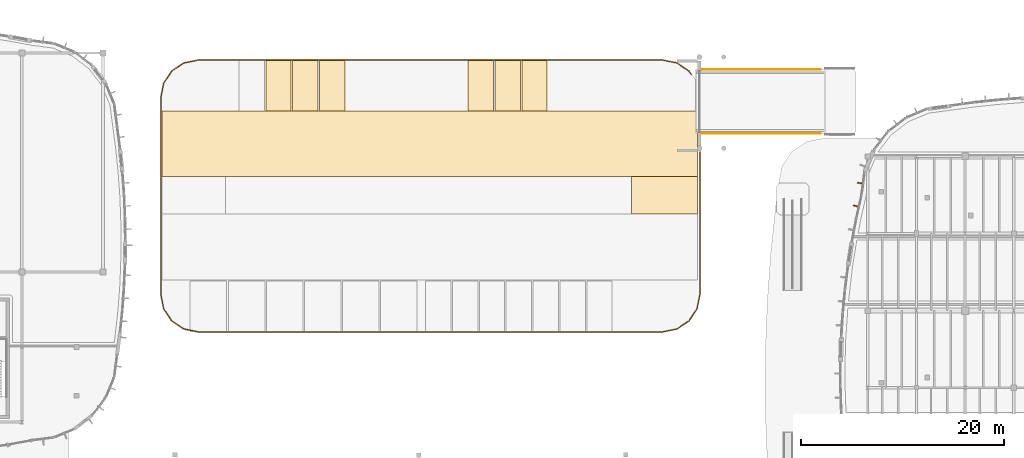
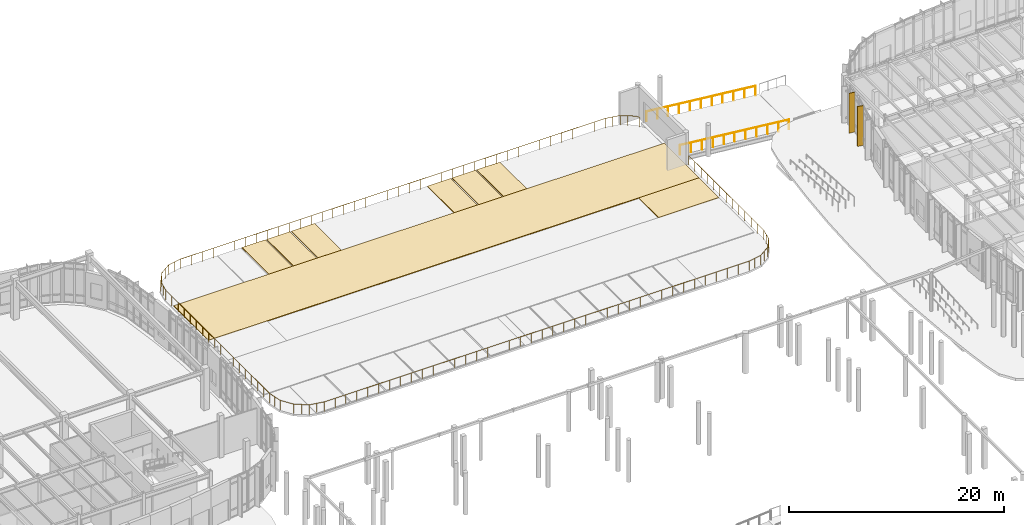
# One storey, part 113 of 120: 10 coverings, 3 railings.
"""IFC4 building model written with IfcOpenShell, lengths in metres."""

import ifcopenshell
import ifcopenshell.guid

model = None  # the IFC model being written
_history = None  # IfcOwnerHistory: only IFC2X3 demands one
_inside = {}  # id of a spatial element -> (the spatial element, [elements in it])
_under = {}  # id of a project, library or spatial element -> (it, [spatial elements below it])
_declared = {}  # id of a project -> (the project, [libraries it declares])
_typed = {}  # id of a type object -> (the type object, [elements of that type])
_made_of = {}  # id of a material, layer set ... -> (it, [elements and type objects made of it])


def new_model(schema):
    """Start an empty IFC model of exactly this schema.

    Asked for "IFC4X3", IfcOpenShell would pick the latest addendum, in which some entities
    have other attributes; the version numbers below select the first issue.
    IFC2X3 requires an IfcOwnerHistory on every rooted entity: one is made here for all.
    """
    global model, _history
    if schema == "IFC4X3":
        model = ifcopenshell.file(schema_version=(4, 3, 0, 0))
    else:
        model = ifcopenshell.file(schema=schema)
    _inside.clear()
    _under.clear()
    _declared.clear()
    _typed.clear()
    _made_of.clear()
    _history = None
    if model.schema == "IFC2X3":
        org = make("IfcOrganization", Name="unknown")
        user = make(
            "IfcPersonAndOrganization",
            ThePerson=make("IfcPerson", FamilyName="unknown"),
            TheOrganization=org,
        )
        app = make(
            "IfcApplication",
            ApplicationDeveloper=org,
            Version="unknown",
            ApplicationFullName="unknown",
            ApplicationIdentifier="unknown",
        )
        _history = make(
            "IfcOwnerHistory",
            OwningUser=user,
            OwningApplication=app,
            ChangeAction="ADDED",
            CreationDate=0,
        )
    return model


def make(cls, **values):
    """One entity of the class cls with the attributes given. An attribute that is None is left unset."""
    return model.create_entity(
        cls, **{name: value for name, value in values.items() if value is not None}
    )


def rooted(cls, **values):
    """An entity with a GlobalId (a new one), such as an element, a storey or a relation."""
    return make(cls, GlobalId=ifcopenshell.guid.new(), OwnerHistory=_history, **values)


def si_unit(unit_type, name, prefix=None):
    """IfcSIUnit, for example si_unit("LENGTHUNIT", "METRE", prefix="MILLI")."""
    return make("IfcSIUnit", UnitType=unit_type, Prefix=prefix, Name=name)


def assignment(units):
    """IfcUnitAssignment: the units of a project."""
    return None if units is None else make("IfcUnitAssignment", Units=units)


def point(xyz):
    """IfcCartesianPoint."""
    return None if xyz is None else make("IfcCartesianPoint", Coordinates=xyz)


def direction(xyz):
    """IfcDirection."""
    return None if xyz is None else make("IfcDirection", DirectionRatios=xyz)


def frame(location, z_axis=None, x_axis=None):
    """IfcAxis2Placement3D, a coordinate frame: its origin and axes. An axis left out is left unset."""
    return make(
        "IfcAxis2Placement3D",
        Location=point(location),
        Axis=direction(z_axis),
        RefDirection=direction(x_axis),
    )


def frame_2d(location, x_axis=None):
    """IfcAxis2Placement2D, a coordinate frame in the plane: its origin and x axis."""
    return make(
        "IfcAxis2Placement2D", Location=point(location), RefDirection=direction(x_axis)
    )


def origin():
    """The frame at (0, 0, 0) with its axes left unset."""
    return frame((0.0, 0.0, 0.0))


def origin_2d():
    """The frame at (0, 0) in the plane with its x axis left unset."""
    return frame_2d((0.0, 0.0))


def place(relative_to, where):
    """IfcLocalPlacement: puts the frame where relative to a parent placement (None: the world)."""
    return make(
        "IfcLocalPlacement", PlacementRelTo=relative_to, RelativePlacement=where
    )


def context(
    kind, dimensions, precision=None, world=None, true_north=None, identifier=None
):
    """IfcGeometricRepresentationContext, for example the 3D "Model" context."""
    return make(
        "IfcGeometricRepresentationContext",
        ContextIdentifier=identifier,
        ContextType=kind,
        CoordinateSpaceDimension=dimensions,
        Precision=precision,
        WorldCoordinateSystem=world,
        TrueNorth=true_north,
    )


def subcontext(parent, identifier, kind, view, scale=None):
    """IfcGeometricRepresentationSubContext, for example "Body" below "Model"."""
    return make(
        "IfcGeometricRepresentationSubContext",
        ContextIdentifier=identifier,
        ContextType=kind,
        ParentContext=parent,
        TargetScale=scale,
        TargetView=view,
    )


def project(units=None, contexts=None):
    """IfcProject with its units and contexts."""
    return rooted(
        "IfcProject",
        Name="project",
        RepresentationContexts=contexts,
        UnitsInContext=assignment(units),
    )


def spatial(cls, under=None, at=None, **own):
    """A site, building, storey or space (cls), placed at a placement, below another one or the project."""
    s = rooted(cls, ObjectPlacement=at, **own)
    if under is not None:
        _under.setdefault(under.id(), (under, []))[1].append(s)
    return s


def polyline(points):
    """IfcPolyline through the points."""
    return make("IfcPolyline", Points=[point(p) for p in points])


def profile(cls, at=None, kind="AREA", **sizes):
    """A parametric profile (cls). Its sizes go by their IFC names, for example OverallWidth=200.0."""
    return make(cls, ProfileType=kind, Position=at, **sizes)


def circle(**sizes):
    """IfcCircleProfileDef."""
    return profile("IfcCircleProfileDef", **sizes)


def outline(outer, holes=None, kind="AREA"):
    """IfcArbitraryClosedProfileDef: a profile drawn as a closed curve; with holes, ...WithVoids."""
    if holes is None:
        return make("IfcArbitraryClosedProfileDef", ProfileType=kind, OuterCurve=outer)
    return make(
        "IfcArbitraryProfileDefWithVoids",
        ProfileType=kind,
        OuterCurve=outer,
        InnerCurves=holes,
    )


def extrude(swept, where, along, depth):
    """IfcExtrudedAreaSolid: the profile swept, set in the frame where, extruded along a direction by depth."""
    return make(
        "IfcExtrudedAreaSolid",
        SweptArea=swept,
        Position=where,
        ExtrudedDirection=direction(along),
        Depth=depth,
    )


def shape(context_of_items, identifier, shape_type, items):
    """IfcShapeRepresentation: the items that make up one representation, for example the "Body"."""
    return make(
        "IfcShapeRepresentation",
        ContextOfItems=context_of_items,
        RepresentationIdentifier=identifier,
        RepresentationType=shape_type,
        Items=items,
    )


def material(Name=None, Category=None):
    """IfcMaterial."""
    return make("IfcMaterial", Name=Name, Category=Category)


def layer(
    of_material, thickness, ventilated=None, Name=None, Category=None, Priority=None
):
    """IfcMaterialLayer: one layer of a wall or slab, of a material (None: an air gap)."""
    return make(
        "IfcMaterialLayer",
        Material=of_material,
        LayerThickness=thickness,
        IsVentilated=ventilated,
        Name=Name,
        Category=Category,
        Priority=Priority,
    )


def layer_set(layers, Name=None):
    """IfcMaterialLayerSet."""
    return make("IfcMaterialLayerSet", MaterialLayers=layers, LayerSetName=Name)


def made_of(thing, what):
    """Note that an element or type object is made of a material, layer set ...; save() writes the relation."""
    if what is not None:
        _made_of.setdefault(what.id(), (what, []))[1].append(thing)
    return thing


def type_object(cls, material=None, **own):
    """A type object (cls), such as IfcWallType, which elements share."""
    return made_of(rooted(cls, **own), material)


def element(
    cls,
    number,
    at=None,
    inside=None,
    cuts=None,
    type_object=None,
    material=None,
    context=None,
    identifier="Body",
    shape_type=None,
    held_by="IfcProductDefinitionShape",
    body=None,
    shapes=None,
    **own,
):
    """One element of the class cls, such as IfcWall. Its Tag is "e" and its number.

    at: its placement. inside: the storey or other place that contains it. cuts: it is an
    opening in that element (IfcRelVoidsElement). A single representation is given by context,
    identifier, shape_type and body (its items); several are given by shapes. held_by: the class
    of the entity that holds the representations. save() writes the other relations.
    """
    e = rooted(cls, Tag="e%d" % number, ObjectPlacement=at, **own)
    if body is not None:
        shapes = [shape(context, identifier, shape_type, body)]
    if shapes is not None:
        e.Representation = make(held_by, Representations=shapes)
    if inside is not None:
        _inside.setdefault(inside.id(), (inside, []))[1].append(e)
    if cuts is not None:
        rooted(
            "IfcRelVoidsElement", RelatingBuildingElement=cuts, RelatedOpeningElement=e
        )
    if type_object is not None:
        _typed.setdefault(type_object.id(), (type_object, []))[1].append(e)
    return made_of(e, material)


def aggregate(whole, parts):
    """IfcRelAggregates: a whole, such as a stair, and the parts it consists of."""
    return rooted("IfcRelAggregates", RelatingObject=whole, RelatedObjects=parts)


def save(model, path):
    """Write the relations noted so far, then the file.

    IfcRelAggregates (storeys below a building ...), IfcRelContainedInSpatialStructure (elements
    in a storey), IfcRelDefinesByType, IfcRelAssociatesMaterial and IfcRelDeclares: one each for
    every whole, place, type object, material and project.
    """
    for whole, parts in _under.values():
        aggregate(whole, parts)
    for where, things in _inside.values():
        rooted(
            "IfcRelContainedInSpatialStructure",
            RelatedElements=things,
            RelatingStructure=where,
        )
    for kind, things in _typed.values():
        rooted("IfcRelDefinesByType", RelatedObjects=things, RelatingType=kind)
    for what, things in _made_of.values():
        rooted("IfcRelAssociatesMaterial", RelatedObjects=things, RelatingMaterial=what)
    for by, libraries in _declared.values():
        rooted("IfcRelDeclares", RelatingContext=by, RelatedDefinitions=libraries)
    model.write(path)


model = new_model("IFC4")

# Units and contexts
model_context = context("Model", 3, precision=1e-05, world=origin(), true_north=direction((0.0, 1.0)))
body_context = subcontext(model_context, "Body", "Model", "MODEL_VIEW")
ifc_project = project(units=[si_unit("LENGTHUNIT", "METRE"), si_unit("AREAUNIT", "SQUARE_METRE"), si_unit("VOLUMEUNIT", "CUBIC_METRE"), si_unit("PLANEANGLEUNIT", "RADIAN"), si_unit("MASSUNIT", "GRAM", prefix="KILO")], contexts=[model_context])

# Site, building, storey
site_placement = place(None, origin())
site = spatial("IfcSite", under=ifc_project, at=site_placement, CompositionType="ELEMENT")
building_placement = place(site_placement, origin())
building = spatial("IfcBuilding", under=site, at=building_placement, Name="Corveleigh Park Community Centre", CompositionType="ELEMENT")
storey_placement = place(building_placement, origin())
storey = spatial("IfcBuildingStorey", under=building, at=storey_placement, Name="L00", CompositionType="ELEMENT", Elevation=0.0)

# Coverings
ifc_material_1 = material(Name="Warm buff ribbed architectural cladding", Category="masonry")
ifc_layer_1 = layer(ifc_material_1, 0.0849609375, Name="Warm buff ribbed architectural cladding", Category="masonry")
ifc_layer_set_1 = layer_set([ifc_layer_1], Name="Warm buff ribbed architectural cladding")
covering_type_1 = type_object("IfcCoveringType", Name="COV-CLD-BUF", PredefinedType="CLADDING", material=ifc_layer_set_1)
covering_1_placement = place(storey_placement, origin())
element("IfcCovering", 1, at=covering_1_placement, inside=storey, type_object=covering_type_1, Name="V4 L00 Brise-soleil blade 141", PredefinedType="CLADDING", context=body_context, shape_type="SweptSolid", body=[
    extrude(outline(polyline([(129.363037109375, 101.486083984375), (129.3740234375, 101.570068359375), (128.799072265625, 101.64599609375), (128.7880859375, 101.56201171875), (129.363037109375, 101.486083984375)])), origin(), (0.0, 0.0, 1.0), 4.537109375),
])
covering_2_placement = place(storey_placement, origin())
element("IfcCovering", 2, at=covering_2_placement, inside=storey, type_object=covering_type_1, Name="V4 L00 Brise-soleil blade 142", PredefinedType="CLADDING", context=body_context, shape_type="SweptSolid", body=[
    extrude(outline(polyline([(128.950927734375, 99.196044921875), (128.968994140625, 99.279052734375), (128.403076171875, 99.406005859375), (128.385009765625, 99.322998046875), (128.950927734375, 99.196044921875)])), origin(), (0.0, 0.0, 1.0), 4.537109375),
])
ifc_material_2 = material(Name="Permeable granite-aggregate block paving", Category="masonry")
ifc_layer_2 = layer(ifc_material_2, 0.080078125, Name="Permeable granite-aggregate block paving", Category="masonry")
ifc_layer_set_2 = layer_set([ifc_layer_2], Name="Permeable granite-aggregate block paving")
covering_type_2 = type_object("IfcCoveringType", Name="COV-FLR-PAV", PredefinedType="FLOORING", material=ifc_layer_set_2)
covering_3_placement = place(storey_placement, origin())
element("IfcCovering", 3, at=covering_3_placement, inside=storey, type_object=covering_type_2, Name="Parking loop north aisle", PredefinedType="FLOORING", context=body_context, shape_type="SweptSolid", body=[
    extrude(outline(polyline([(60.199951171875, 102.199951171875), (113.0, 102.199951171875), (113.0, 108.699951171875), (60.199951171875, 108.699951171875), (60.199951171875, 102.199951171875)])), origin(), (0.0, 0.0, 1.0), 0.080078125),
])
covering_4_placement = place(storey_placement, origin())
element("IfcCovering", 4, at=covering_4_placement, inside=storey, type_object=covering_type_2, Name="Parking loop east exit", PredefinedType="FLOORING", context=body_context, shape_type="SweptSolid", body=[
    extrude(outline(polyline([(106.5, 98.5), (113.0, 98.5), (113.0, 102.199951171875), (106.5, 102.199951171875), (106.5, 98.5)])), origin(), (0.0, 0.0, 1.0), 0.080078125),
])
covering_5_placement = place(storey_placement, origin())
element("IfcCovering", 5, at=covering_5_placement, inside=storey, type_object=covering_type_2, Name="Parking bay PB-09", PredefinedType="FLOORING", context=body_context, shape_type="SweptSolid", body=[
    extrude(outline(polyline([(70.449951171875, 108.699951171875), (72.949951171875, 108.699951171875), (72.949951171875, 113.699951171875), (70.449951171875, 113.699951171875), (70.449951171875, 108.699951171875)])), origin(), (0.0, 0.0, 1.0), 0.080078125),
])
covering_6_placement = place(storey_placement, origin())
element("IfcCovering", 6, at=covering_6_placement, inside=storey, type_object=covering_type_2, Name="Parking bay PB-10", PredefinedType="FLOORING", context=body_context, shape_type="SweptSolid", body=[
    extrude(outline(polyline([(73.10009765625, 108.699951171875), (75.60009765625, 108.699951171875), (75.60009765625, 113.699951171875), (73.10009765625, 113.699951171875), (73.10009765625, 108.699951171875)])), origin(), (0.0, 0.0, 1.0), 0.080078125),
])
covering_7_placement = place(storey_placement, origin())
element("IfcCovering", 7, at=covering_7_placement, inside=storey, type_object=covering_type_2, Name="Parking bay PB-11", PredefinedType="FLOORING", context=body_context, shape_type="SweptSolid", body=[
    extrude(outline(polyline([(75.75, 108.699951171875), (78.25, 108.699951171875), (78.25, 113.699951171875), (75.75, 113.699951171875), (75.75, 108.699951171875)])), origin(), (0.0, 0.0, 1.0), 0.080078125),
])
covering_8_placement = place(storey_placement, origin())
element("IfcCovering", 8, at=covering_8_placement, inside=storey, type_object=covering_type_2, Name="Parking bay PB-12", PredefinedType="FLOORING", context=body_context, shape_type="SweptSolid", body=[
    extrude(outline(polyline([(90.39990234375, 108.699951171875), (92.89990234375, 108.699951171875), (92.89990234375, 113.699951171875), (90.39990234375, 113.699951171875), (90.39990234375, 108.699951171875)])), origin(), (0.0, 0.0, 1.0), 0.080078125),
])
covering_9_placement = place(storey_placement, origin())
element("IfcCovering", 9, at=covering_9_placement, inside=storey, type_object=covering_type_2, Name="Parking bay PB-13", PredefinedType="FLOORING", context=body_context, shape_type="SweptSolid", body=[
    extrude(outline(polyline([(93.050048828125, 108.699951171875), (95.550048828125, 108.699951171875), (95.550048828125, 113.699951171875), (93.050048828125, 113.699951171875), (93.050048828125, 108.699951171875)])), origin(), (0.0, 0.0, 1.0), 0.080078125),
])
covering_10_placement = place(storey_placement, origin())
element("IfcCovering", 10, at=covering_10_placement, inside=storey, type_object=covering_type_2, Name="Parking bay PB-14", PredefinedType="FLOORING", context=body_context, shape_type="SweptSolid", body=[
    extrude(outline(polyline([(95.699951171875, 108.699951171875), (98.199951171875, 108.699951171875), (98.199951171875, 113.699951171875), (95.699951171875, 113.699951171875), (95.699951171875, 108.699951171875)])), origin(), (0.0, 0.0, 1.0), 0.080078125),
])

# Railings
ifc_material_3 = material(Name="Stainless steel 316 balustrade", Category="steel")
railing_type = type_object("IfcRailingType", Name="RLG-BAL-EXT-1100", PredefinedType="BALUSTRADE", material=ifc_material_3)
for number, where, name in (
    (11, (125.14990234375, 106.449951171875, -1.199951171875), "Vehicle Ramp South Edge Guard"),
    (12, (125.14990234375, 112.75, -1.199951171875), "Vehicle Ramp North Edge Guard"),
):
    element("IfcRailing", number, at=place(storey_placement, frame(where)), inside=storey, type_object=railing_type, Name=name, PredefinedType="BALUSTRADE", context=body_context, shape_type="SweptSolid", body=[
        extrude(circle(Radius=0.02392578125, at=origin_2d()), frame((0.0, 0.0, 1.076171875), z_axis=(-0.994808292705, 0.0, 0.10176669772), x_axis=(0.0, -1.0, 0.0)), (0.0, 0.0, 1.0), 11.791259765625),
        extrude(circle(Radius=0.02099609375, at=origin_2d()), origin(), (0.0, 0.0, 1.0), 1.052001953125),
        extrude(circle(Radius=0.02099609375, at=origin_2d()), frame((-1.173095703125, 0.0, 0.1201171875)), (0.0, 0.0, 1.0), 1.052001953125),
        extrude(circle(Radius=0.02099609375, at=origin_2d()), frame((-2.345947265625, 0.0, 0.239990234375)), (0.0, 0.0, 1.0), 1.052001953125),
        extrude(circle(Radius=0.02099609375, at=origin_2d()), frame((-3.51904296875, 0.0, 0.35986328125)), (0.0, 0.0, 1.0), 1.052001953125),
        extrude(circle(Radius=0.02099609375, at=origin_2d()), frame((-4.69189453125, 0.0, 0.47998046875)), (0.0, 0.0, 1.0), 1.052001953125),
        extrude(circle(Radius=0.02099609375, at=origin_2d()), frame((-5.864990234375, 0.0, 0.60009765625)), (0.0, 0.0, 1.0), 1.052001953125),
        extrude(circle(Radius=0.02099609375, at=origin_2d()), frame((-7.0380859375, 0.0, 0.719970703125)), (0.0, 0.0, 1.0), 1.052001953125),
        extrude(circle(Radius=0.02099609375, at=origin_2d()), frame((-8.2109375, 0.0, 0.83984375)), (0.0, 0.0, 1.0), 1.052001953125),
        extrude(circle(Radius=0.02099609375, at=origin_2d()), frame((-9.384033203125, 0.0, 0.9599609375)), (0.0, 0.0, 1.0), 1.052001953125),
        extrude(circle(Radius=0.02099609375, at=origin_2d()), frame((-10.556884765625, 0.0, 1.080078125)), (0.0, 0.0, 1.0), 1.052001953125),
        extrude(circle(Radius=0.02099609375, at=origin_2d()), frame((-11.72998046875, 0.0, 1.199951171875)), (0.0, 0.0, 1.0), 1.052001953125),
    ])
railing_placement = place(storey_placement, frame((113.25, 104.60009765625, 0.0)))
element("IfcRailing", 13, at=railing_placement, inside=storey, type_object=railing_type, Name="Car Park Perimeter Guard 18", PredefinedType="BALUSTRADE", context=body_context, shape_type="SweptSolid", body=[
    extrude(circle(Radius=0.02392578125, at=origin_2d()), frame((0.0, 0.0, 1.076171875), z_axis=(0.0, -1.0, 0.0), x_axis=(1.0, 0.0, 0.0)), (0.0, 0.0, 1.0), 13.989990234375),
    extrude(circle(Radius=0.02392578125, at=origin_2d()), frame((0.0, -13.989990234375, 1.076171875), z_axis=(-0.194758698763, -0.980851186091, 0.0), x_axis=(0.980851186091, -0.194758698763, 0.0)), (0.0, 0.0, 1.0), 1.452880859375),
    extrude(circle(Radius=0.02392578125, at=origin_2d()), frame((-0.282958984375, -15.4150390625, 1.076171875), z_axis=(-0.555675711617, -0.831399124079, 0.0), x_axis=(0.831399124079, -0.555675711617, 0.0)), (0.0, 0.0, 1.0), 1.443359375),
    extrude(circle(Radius=0.02392578125, at=origin_2d()), frame((-1.0849609375, -16.614990234375, 1.076171875), z_axis=(-0.831399124079, -0.555675711617, 0.0), x_axis=(0.555675711617, -0.831399124079, 0.0)), (0.0, 0.0, 1.0), 1.443359375),
    extrude(circle(Radius=0.02392578125, at=origin_2d()), frame((-2.284912109375, -17.4169921875, 1.076171875), z_axis=(-0.9808190732, -0.194920357189, 0.0), x_axis=(0.194920357189, -0.9808190732, 0.0)), (0.0, 0.0, 1.0), 1.452880859375),
    extrude(circle(Radius=0.02392578125, at=origin_2d()), frame((-3.7099609375, -17.7001953125, 1.076171875), z_axis=(-1.0, 0.0, 0.0), x_axis=(0.0, -1.0, 0.0)), (0.0, 0.0, 1.0), 45.72998046875),
    extrude(circle(Radius=0.02392578125, at=origin_2d()), frame((-49.43994140625, -17.7001953125, 1.076171875), z_axis=(-0.9808190732, 0.194920357189, 0.0), x_axis=(-0.194920357189, -0.9808190732, 0.0)), (0.0, 0.0, 1.0), 1.452880859375),
    extrude(circle(Radius=0.02392578125, at=origin_2d()), frame((-50.864990234375, -17.4169921875, 1.076171875), z_axis=(-0.831399124079, 0.555675711617, 0.0), x_axis=(-0.555675711617, -0.831399124079, 0.0)), (0.0, 0.0, 1.0), 1.443359375),
    extrude(circle(Radius=0.02392578125, at=origin_2d()), frame((-52.06494140625, -16.614990234375, 1.076171875), z_axis=(-0.555675711617, 0.831399124079, 0.0), x_axis=(-0.831399124079, -0.555675711617, 0.0)), (0.0, 0.0, 1.0), 1.443359375),
    extrude(circle(Radius=0.02392578125, at=origin_2d()), frame((-52.866943359375, -15.4150390625, 1.076171875), z_axis=(-0.194758698763, 0.980851186091, 0.0), x_axis=(-0.980851186091, -0.194758698763, 0.0)), (0.0, 0.0, 1.0), 1.452880859375),
    extrude(circle(Radius=0.02392578125, at=origin_2d()), frame((-53.14990234375, -13.989990234375, 1.076171875), z_axis=(0.0, 1.0, 0.0), x_axis=(-1.0, 0.0, 0.0)), (0.0, 0.0, 1.0), 19.3798828125),
    extrude(circle(Radius=0.02392578125, at=origin_2d()), frame((-53.14990234375, 5.389892578125, 1.076171875), z_axis=(0.194758698763, 0.980851186091, 0.0), x_axis=(-0.980851186091, 0.194758698763, 0.0)), (0.0, 0.0, 1.0), 1.452880859375),
    extrude(circle(Radius=0.02392578125, at=origin_2d()), frame((-52.866943359375, 6.81494140625, 1.076171875), z_axis=(0.555675711617, 0.831399124079, 0.0), x_axis=(-0.831399124079, 0.555675711617, 0.0)), (0.0, 0.0, 1.0), 1.443359375),
    extrude(circle(Radius=0.02392578125, at=origin_2d()), frame((-52.06494140625, 8.014892578125, 1.076171875), z_axis=(0.831399124079, 0.555675711617, 0.0), x_axis=(-0.555675711617, 0.831399124079, 0.0)), (0.0, 0.0, 1.0), 1.443359375),
    extrude(circle(Radius=0.02392578125, at=origin_2d()), frame((-50.864990234375, 8.81689453125, 1.076171875), z_axis=(0.980851186091, 0.194758698763, 0.0), x_axis=(-0.194758698763, 0.980851186091, 0.0)), (0.0, 0.0, 1.0), 1.452880859375),
    extrude(circle(Radius=0.02392578125, at=origin_2d()), frame((-49.43994140625, 9.099853515625, 1.076171875), z_axis=(1.0, 0.0, 0.0), x_axis=(0.0, 1.0, 0.0)), (0.0, 0.0, 1.0), 45.72998046875),
    extrude(circle(Radius=0.02392578125, at=origin_2d()), frame((-3.7099609375, 9.099853515625, 1.076171875), z_axis=(0.980851186091, -0.194758698763, 0.0), x_axis=(0.194758698763, 0.980851186091, 0.0)), (0.0, 0.0, 1.0), 1.452880859375),
    extrude(circle(Radius=0.02392578125, at=origin_2d()), frame((-2.284912109375, 8.81689453125, 1.076171875), z_axis=(0.831399124079, -0.555675711617, 0.0), x_axis=(0.555675711617, 0.831399124079, 0.0)), (0.0, 0.0, 1.0), 1.443359375),
    extrude(circle(Radius=0.02392578125, at=origin_2d()), frame((-1.0849609375, 8.014892578125, 1.076171875), z_axis=(0.554966423905, -0.831872747683, 0.0), x_axis=(0.831872747683, 0.554966423905, 0.0)), (0.0, 0.0, 1.0), 0.423095703125),
    extrude(circle(Radius=0.02099609375, at=origin_2d()), origin(), (0.0, 0.0, 1.0), 1.052001953125),
    extrude(circle(Radius=0.02099609375, at=origin_2d()), frame((0.0, -1.165771484375, 0.0)), (0.0, 0.0, 1.0), 1.052001953125),
    extrude(circle(Radius=0.02099609375, at=origin_2d()), frame((0.0, -2.33154296875, 0.0)), (0.0, 0.0, 1.0), 1.052001953125),
    extrude(circle(Radius=0.02099609375, at=origin_2d()), frame((0.0, -3.49755859375, 0.0)), (0.0, 0.0, 1.0), 1.052001953125),
    extrude(circle(Radius=0.02099609375, at=origin_2d()), frame((0.0, -4.663330078125, 0.0)), (0.0, 0.0, 1.0), 1.052001953125),
    extrude(circle(Radius=0.02099609375, at=origin_2d()), frame((0.0, -5.8291015625, 0.0)), (0.0, 0.0, 1.0), 1.052001953125),
    extrude(circle(Radius=0.02099609375, at=origin_2d()), frame((0.0, -6.9951171875, 0.0)), (0.0, 0.0, 1.0), 1.052001953125),
    extrude(circle(Radius=0.02099609375, at=origin_2d()), frame((0.0, -8.160888671875, 0.0)), (0.0, 0.0, 1.0), 1.052001953125),
    extrude(circle(Radius=0.02099609375, at=origin_2d()), frame((0.0, -9.32666015625, 0.0)), (0.0, 0.0, 1.0), 1.052001953125),
    extrude(circle(Radius=0.02099609375, at=origin_2d()), frame((0.0, -10.492431640625, 0.0)), (0.0, 0.0, 1.0), 1.052001953125),
    extrude(circle(Radius=0.02099609375, at=origin_2d()), frame((0.0, -11.658203125, 0.0)), (0.0, 0.0, 1.0), 1.052001953125),
    extrude(circle(Radius=0.02099609375, at=origin_2d()), frame((0.0, -12.82421875, 0.0)), (0.0, 0.0, 1.0), 1.052001953125),
    extrude(circle(Radius=0.02099609375, at=origin_2d()), frame((0.0, -13.989990234375, 0.0)), (0.0, 0.0, 1.0), 1.052001953125),
    extrude(circle(Radius=0.02099609375, at=origin_2d()), frame((-0.1416015625, -14.70263671875, 0.0)), (0.0, 0.0, 1.0), 1.052001953125),
    extrude(circle(Radius=0.02099609375, at=origin_2d()), frame((-0.282958984375, -15.4150390625, 0.0)), (0.0, 0.0, 1.0), 1.052001953125),
    extrude(circle(Radius=0.02099609375, at=origin_2d()), frame((-0.68408203125, -16.01513671875, 0.0)), (0.0, 0.0, 1.0), 1.052001953125),
    extrude(circle(Radius=0.02099609375, at=origin_2d()), frame((-1.0849609375, -16.614990234375, 0.0)), (0.0, 0.0, 1.0), 1.052001953125),
    extrude(circle(Radius=0.02099609375, at=origin_2d()), frame((-1.68505859375, -17.01611328125, 0.0)), (0.0, 0.0, 1.0), 1.052001953125),
    extrude(circle(Radius=0.02099609375, at=origin_2d()), frame((-2.284912109375, -17.4169921875, 0.0)), (0.0, 0.0, 1.0), 1.052001953125),
    extrude(circle(Radius=0.02099609375, at=origin_2d()), frame((-2.99755859375, -17.55859375, 0.0)), (0.0, 0.0, 1.0), 1.052001953125),
    extrude(circle(Radius=0.02099609375, at=origin_2d()), frame((-3.7099609375, -17.7001953125, 0.0)), (0.0, 0.0, 1.0), 1.052001953125),
    extrude(circle(Radius=0.02099609375, at=origin_2d()), frame((-4.882568359375, -17.7001953125, 0.0)), (0.0, 0.0, 1.0), 1.052001953125),
    extrude(circle(Radius=0.02099609375, at=origin_2d()), frame((-6.05517578125, -17.7001953125, 0.0)), (0.0, 0.0, 1.0), 1.052001953125),
    extrude(circle(Radius=0.02099609375, at=origin_2d()), frame((-7.2275390625, -17.7001953125, 0.0)), (0.0, 0.0, 1.0), 1.052001953125),
    extrude(circle(Radius=0.02099609375, at=origin_2d()), frame((-8.400146484375, -17.7001953125, 0.0)), (0.0, 0.0, 1.0), 1.052001953125),
    extrude(circle(Radius=0.02099609375, at=origin_2d()), frame((-9.57275390625, -17.7001953125, 0.0)), (0.0, 0.0, 1.0), 1.052001953125),
    extrude(circle(Radius=0.02099609375, at=origin_2d()), frame((-10.745361328125, -17.7001953125, 0.0)), (0.0, 0.0, 1.0), 1.052001953125),
    extrude(circle(Radius=0.02099609375, at=origin_2d()), frame((-11.91796875, -17.7001953125, 0.0)), (0.0, 0.0, 1.0), 1.052001953125),
    extrude(circle(Radius=0.02099609375, at=origin_2d()), frame((-13.090576171875, -17.7001953125, 0.0)), (0.0, 0.0, 1.0), 1.052001953125),
    extrude(circle(Radius=0.02099609375, at=origin_2d()), frame((-14.262939453125, -17.7001953125, 0.0)), (0.0, 0.0, 1.0), 1.052001953125),
    extrude(circle(Radius=0.02099609375, at=origin_2d()), frame((-15.435546875, -17.7001953125, 0.0)), (0.0, 0.0, 1.0), 1.052001953125),
    extrude(circle(Radius=0.02099609375, at=origin_2d()), frame((-16.608154296875, -17.7001953125, 0.0)), (0.0, 0.0, 1.0), 1.052001953125),
    extrude(circle(Radius=0.02099609375, at=origin_2d()), frame((-17.78076171875, -17.7001953125, 0.0)), (0.0, 0.0, 1.0), 1.052001953125),
    extrude(circle(Radius=0.02099609375, at=origin_2d()), frame((-18.953369140625, -17.7001953125, 0.0)), (0.0, 0.0, 1.0), 1.052001953125),
    extrude(circle(Radius=0.02099609375, at=origin_2d()), frame((-20.125732421875, -17.7001953125, 0.0)), (0.0, 0.0, 1.0), 1.052001953125),
    extrude(circle(Radius=0.02099609375, at=origin_2d()), frame((-21.29833984375, -17.7001953125, 0.0)), (0.0, 0.0, 1.0), 1.052001953125),
    extrude(circle(Radius=0.02099609375, at=origin_2d()), frame((-22.470947265625, -17.7001953125, 0.0)), (0.0, 0.0, 1.0), 1.052001953125),
    extrude(circle(Radius=0.02099609375, at=origin_2d()), frame((-23.6435546875, -17.7001953125, 0.0)), (0.0, 0.0, 1.0), 1.052001953125),
    extrude(circle(Radius=0.02099609375, at=origin_2d()), frame((-24.816162109375, -17.7001953125, 0.0)), (0.0, 0.0, 1.0), 1.052001953125),
    extrude(circle(Radius=0.02099609375, at=origin_2d()), frame((-25.98876953125, -17.7001953125, 0.0)), (0.0, 0.0, 1.0), 1.052001953125),
    extrude(circle(Radius=0.02099609375, at=origin_2d()), frame((-27.1611328125, -17.7001953125, 0.0)), (0.0, 0.0, 1.0), 1.052001953125),
    extrude(circle(Radius=0.02099609375, at=origin_2d()), frame((-28.333740234375, -17.7001953125, 0.0)), (0.0, 0.0, 1.0), 1.052001953125),
    extrude(circle(Radius=0.02099609375, at=origin_2d()), frame((-29.50634765625, -17.7001953125, 0.0)), (0.0, 0.0, 1.0), 1.052001953125),
    extrude(circle(Radius=0.02099609375, at=origin_2d()), frame((-30.678955078125, -17.7001953125, 0.0)), (0.0, 0.0, 1.0), 1.052001953125),
    extrude(circle(Radius=0.02099609375, at=origin_2d()), frame((-31.8515625, -17.7001953125, 0.0)), (0.0, 0.0, 1.0), 1.052001953125),
    extrude(circle(Radius=0.02099609375, at=origin_2d()), frame((-33.024169921875, -17.7001953125, 0.0)), (0.0, 0.0, 1.0), 1.052001953125),
    extrude(circle(Radius=0.02099609375, at=origin_2d()), frame((-34.196533203125, -17.7001953125, 0.0)), (0.0, 0.0, 1.0), 1.052001953125),
    extrude(circle(Radius=0.02099609375, at=origin_2d()), frame((-35.369140625, -17.7001953125, 0.0)), (0.0, 0.0, 1.0), 1.052001953125),
    extrude(circle(Radius=0.02099609375, at=origin_2d()), frame((-36.541748046875, -17.7001953125, 0.0)), (0.0, 0.0, 1.0), 1.052001953125),
    extrude(circle(Radius=0.02099609375, at=origin_2d()), frame((-37.71435546875, -17.7001953125, 0.0)), (0.0, 0.0, 1.0), 1.052001953125),
    extrude(circle(Radius=0.02099609375, at=origin_2d()), frame((-38.886962890625, -17.7001953125, 0.0)), (0.0, 0.0, 1.0), 1.052001953125),
    extrude(circle(Radius=0.02099609375, at=origin_2d()), frame((-40.059326171875, -17.7001953125, 0.0)), (0.0, 0.0, 1.0), 1.052001953125),
    extrude(circle(Radius=0.02099609375, at=origin_2d()), frame((-41.23193359375, -17.7001953125, 0.0)), (0.0, 0.0, 1.0), 1.052001953125),
    extrude(circle(Radius=0.02099609375, at=origin_2d()), frame((-42.404541015625, -17.7001953125, 0.0)), (0.0, 0.0, 1.0), 1.052001953125),
    extrude(circle(Radius=0.02099609375, at=origin_2d()), frame((-43.5771484375, -17.7001953125, 0.0)), (0.0, 0.0, 1.0), 1.052001953125),
    extrude(circle(Radius=0.02099609375, at=origin_2d()), frame((-44.749755859375, -17.7001953125, 0.0)), (0.0, 0.0, 1.0), 1.052001953125),
    extrude(circle(Radius=0.02099609375, at=origin_2d()), frame((-45.92236328125, -17.7001953125, 0.0)), (0.0, 0.0, 1.0), 1.052001953125),
    extrude(circle(Radius=0.02099609375, at=origin_2d()), frame((-47.0947265625, -17.7001953125, 0.0)), (0.0, 0.0, 1.0), 1.052001953125),
    extrude(circle(Radius=0.02099609375, at=origin_2d()), frame((-48.267333984375, -17.7001953125, 0.0)), (0.0, 0.0, 1.0), 1.052001953125),
    extrude(circle(Radius=0.02099609375, at=origin_2d()), frame((-49.43994140625, -17.7001953125, 0.0)), (0.0, 0.0, 1.0), 1.052001953125),
    extrude(circle(Radius=0.02099609375, at=origin_2d()), frame((-50.15234375, -17.55859375, 0.0)), (0.0, 0.0, 1.0), 1.052001953125),
    extrude(circle(Radius=0.02099609375, at=origin_2d()), frame((-50.864990234375, -17.4169921875, 0.0)), (0.0, 0.0, 1.0), 1.052001953125),
    extrude(circle(Radius=0.02099609375, at=origin_2d()), frame((-51.46484375, -17.01611328125, 0.0)), (0.0, 0.0, 1.0), 1.052001953125),
    extrude(circle(Radius=0.02099609375, at=origin_2d()), frame((-52.06494140625, -16.614990234375, 0.0)), (0.0, 0.0, 1.0), 1.052001953125),
    extrude(circle(Radius=0.02099609375, at=origin_2d()), frame((-52.4658203125, -16.01513671875, 0.0)), (0.0, 0.0, 1.0), 1.052001953125),
    extrude(circle(Radius=0.02099609375, at=origin_2d()), frame((-52.866943359375, -15.4150390625, 0.0)), (0.0, 0.0, 1.0), 1.052001953125),
    extrude(circle(Radius=0.02099609375, at=origin_2d()), frame((-53.00830078125, -14.70263671875, 0.0)), (0.0, 0.0, 1.0), 1.052001953125),
    extrude(circle(Radius=0.02099609375, at=origin_2d()), frame((-53.14990234375, -13.989990234375, 0.0)), (0.0, 0.0, 1.0), 1.052001953125),
    extrude(circle(Radius=0.02099609375, at=origin_2d()), frame((-53.14990234375, -12.85009765625, 0.0)), (0.0, 0.0, 1.0), 1.052001953125),
    extrude(circle(Radius=0.02099609375, at=origin_2d()), frame((-53.14990234375, -11.7099609375, 0.0)), (0.0, 0.0, 1.0), 1.052001953125),
    extrude(circle(Radius=0.02099609375, at=origin_2d()), frame((-53.14990234375, -10.570068359375, 0.0)), (0.0, 0.0, 1.0), 1.052001953125),
    extrude(circle(Radius=0.02099609375, at=origin_2d()), frame((-53.14990234375, -9.429931640625, 0.0)), (0.0, 0.0, 1.0), 1.052001953125),
    extrude(circle(Radius=0.02099609375, at=origin_2d()), frame((-53.14990234375, -8.2900390625, 0.0)), (0.0, 0.0, 1.0), 1.052001953125),
    extrude(circle(Radius=0.02099609375, at=origin_2d()), frame((-53.14990234375, -7.150146484375, 0.0)), (0.0, 0.0, 1.0), 1.052001953125),
    extrude(circle(Radius=0.02099609375, at=origin_2d()), frame((-53.14990234375, -6.010009765625, 0.0)), (0.0, 0.0, 1.0), 1.052001953125),
    extrude(circle(Radius=0.02099609375, at=origin_2d()), frame((-53.14990234375, -4.8701171875, 0.0)), (0.0, 0.0, 1.0), 1.052001953125),
    extrude(circle(Radius=0.02099609375, at=origin_2d()), frame((-53.14990234375, -3.72998046875, 0.0)), (0.0, 0.0, 1.0), 1.052001953125),
    extrude(circle(Radius=0.02099609375, at=origin_2d()), frame((-53.14990234375, -2.590087890625, 0.0)), (0.0, 0.0, 1.0), 1.052001953125),
    extrude(circle(Radius=0.02099609375, at=origin_2d()), frame((-53.14990234375, -1.449951171875, 0.0)), (0.0, 0.0, 1.0), 1.052001953125),
    extrude(circle(Radius=0.02099609375, at=origin_2d()), frame((-53.14990234375, -0.31005859375, 0.0)), (0.0, 0.0, 1.0), 1.052001953125),
    extrude(circle(Radius=0.02099609375, at=origin_2d()), frame((-53.14990234375, 0.829833984375, 0.0)), (0.0, 0.0, 1.0), 1.052001953125),
    extrude(circle(Radius=0.02099609375, at=origin_2d()), frame((-53.14990234375, 1.969970703125, 0.0)), (0.0, 0.0, 1.0), 1.052001953125),
    extrude(circle(Radius=0.02099609375, at=origin_2d()), frame((-53.14990234375, 3.10986328125, 0.0)), (0.0, 0.0, 1.0), 1.052001953125),
    extrude(circle(Radius=0.02099609375, at=origin_2d()), frame((-53.14990234375, 4.25, 0.0)), (0.0, 0.0, 1.0), 1.052001953125),
    extrude(circle(Radius=0.02099609375, at=origin_2d()), frame((-53.14990234375, 5.389892578125, 0.0)), (0.0, 0.0, 1.0), 1.052001953125),
    extrude(circle(Radius=0.02099609375, at=origin_2d()), frame((-53.00830078125, 6.1025390625, 0.0)), (0.0, 0.0, 1.0), 1.052001953125),
    extrude(circle(Radius=0.02099609375, at=origin_2d()), frame((-52.866943359375, 6.81494140625, 0.0)), (0.0, 0.0, 1.0), 1.052001953125),
    extrude(circle(Radius=0.02099609375, at=origin_2d()), frame((-52.4658203125, 7.4150390625, 0.0)), (0.0, 0.0, 1.0), 1.052001953125),
    extrude(circle(Radius=0.02099609375, at=origin_2d()), frame((-52.06494140625, 8.014892578125, 0.0)), (0.0, 0.0, 1.0), 1.052001953125),
    extrude(circle(Radius=0.02099609375, at=origin_2d()), frame((-51.46484375, 8.416015625, 0.0)), (0.0, 0.0, 1.0), 1.052001953125),
    extrude(circle(Radius=0.02099609375, at=origin_2d()), frame((-50.864990234375, 8.81689453125, 0.0)), (0.0, 0.0, 1.0), 1.052001953125),
    extrude(circle(Radius=0.02099609375, at=origin_2d()), frame((-50.15234375, 8.95849609375, 0.0)), (0.0, 0.0, 1.0), 1.052001953125),
    extrude(circle(Radius=0.02099609375, at=origin_2d()), frame((-49.43994140625, 9.099853515625, 0.0)), (0.0, 0.0, 1.0), 1.052001953125),
    extrude(circle(Radius=0.02099609375, at=origin_2d()), frame((-48.267333984375, 9.099853515625, 0.0)), (0.0, 0.0, 1.0), 1.052001953125),
    extrude(circle(Radius=0.02099609375, at=origin_2d()), frame((-47.0947265625, 9.099853515625, 0.0)), (0.0, 0.0, 1.0), 1.052001953125),
    extrude(circle(Radius=0.02099609375, at=origin_2d()), frame((-45.92236328125, 9.099853515625, 0.0)), (0.0, 0.0, 1.0), 1.052001953125),
    extrude(circle(Radius=0.02099609375, at=origin_2d()), frame((-44.749755859375, 9.099853515625, 0.0)), (0.0, 0.0, 1.0), 1.052001953125),
    extrude(circle(Radius=0.02099609375, at=origin_2d()), frame((-43.5771484375, 9.099853515625, 0.0)), (0.0, 0.0, 1.0), 1.052001953125),
    extrude(circle(Radius=0.02099609375, at=origin_2d()), frame((-42.404541015625, 9.099853515625, 0.0)), (0.0, 0.0, 1.0), 1.052001953125),
    extrude(circle(Radius=0.02099609375, at=origin_2d()), frame((-41.23193359375, 9.099853515625, 0.0)), (0.0, 0.0, 1.0), 1.052001953125),
    extrude(circle(Radius=0.02099609375, at=origin_2d()), frame((-40.059326171875, 9.099853515625, 0.0)), (0.0, 0.0, 1.0), 1.052001953125),
    extrude(circle(Radius=0.02099609375, at=origin_2d()), frame((-38.886962890625, 9.099853515625, 0.0)), (0.0, 0.0, 1.0), 1.052001953125),
    extrude(circle(Radius=0.02099609375, at=origin_2d()), frame((-37.71435546875, 9.099853515625, 0.0)), (0.0, 0.0, 1.0), 1.052001953125),
    extrude(circle(Radius=0.02099609375, at=origin_2d()), frame((-36.541748046875, 9.099853515625, 0.0)), (0.0, 0.0, 1.0), 1.052001953125),
    extrude(circle(Radius=0.02099609375, at=origin_2d()), frame((-35.369140625, 9.099853515625, 0.0)), (0.0, 0.0, 1.0), 1.052001953125),
    extrude(circle(Radius=0.02099609375, at=origin_2d()), frame((-34.196533203125, 9.099853515625, 0.0)), (0.0, 0.0, 1.0), 1.052001953125),
    extrude(circle(Radius=0.02099609375, at=origin_2d()), frame((-33.024169921875, 9.099853515625, 0.0)), (0.0, 0.0, 1.0), 1.052001953125),
    extrude(circle(Radius=0.02099609375, at=origin_2d()), frame((-31.8515625, 9.099853515625, 0.0)), (0.0, 0.0, 1.0), 1.052001953125),
    extrude(circle(Radius=0.02099609375, at=origin_2d()), frame((-30.678955078125, 9.099853515625, 0.0)), (0.0, 0.0, 1.0), 1.052001953125),
    extrude(circle(Radius=0.02099609375, at=origin_2d()), frame((-29.50634765625, 9.099853515625, 0.0)), (0.0, 0.0, 1.0), 1.052001953125),
    extrude(circle(Radius=0.02099609375, at=origin_2d()), frame((-28.333740234375, 9.099853515625, 0.0)), (0.0, 0.0, 1.0), 1.052001953125),
    extrude(circle(Radius=0.02099609375, at=origin_2d()), frame((-27.1611328125, 9.099853515625, 0.0)), (0.0, 0.0, 1.0), 1.052001953125),
    extrude(circle(Radius=0.02099609375, at=origin_2d()), frame((-25.98876953125, 9.099853515625, 0.0)), (0.0, 0.0, 1.0), 1.052001953125),
    extrude(circle(Radius=0.02099609375, at=origin_2d()), frame((-24.816162109375, 9.099853515625, 0.0)), (0.0, 0.0, 1.0), 1.052001953125),
    extrude(circle(Radius=0.02099609375, at=origin_2d()), frame((-23.6435546875, 9.099853515625, 0.0)), (0.0, 0.0, 1.0), 1.052001953125),
    extrude(circle(Radius=0.02099609375, at=origin_2d()), frame((-22.470947265625, 9.099853515625, 0.0)), (0.0, 0.0, 1.0), 1.052001953125),
    extrude(circle(Radius=0.02099609375, at=origin_2d()), frame((-21.29833984375, 9.099853515625, 0.0)), (0.0, 0.0, 1.0), 1.052001953125),
    extrude(circle(Radius=0.02099609375, at=origin_2d()), frame((-20.125732421875, 9.099853515625, 0.0)), (0.0, 0.0, 1.0), 1.052001953125),
    extrude(circle(Radius=0.02099609375, at=origin_2d()), frame((-18.953369140625, 9.099853515625, 0.0)), (0.0, 0.0, 1.0), 1.052001953125),
    extrude(circle(Radius=0.02099609375, at=origin_2d()), frame((-17.78076171875, 9.099853515625, 0.0)), (0.0, 0.0, 1.0), 1.052001953125),
    extrude(circle(Radius=0.02099609375, at=origin_2d()), frame((-16.608154296875, 9.099853515625, 0.0)), (0.0, 0.0, 1.0), 1.052001953125),
    extrude(circle(Radius=0.02099609375, at=origin_2d()), frame((-15.435546875, 9.099853515625, 0.0)), (0.0, 0.0, 1.0), 1.052001953125),
    extrude(circle(Radius=0.02099609375, at=origin_2d()), frame((-14.262939453125, 9.099853515625, 0.0)), (0.0, 0.0, 1.0), 1.052001953125),
    extrude(circle(Radius=0.02099609375, at=origin_2d()), frame((-13.090576171875, 9.099853515625, 0.0)), (0.0, 0.0, 1.0), 1.052001953125),
    extrude(circle(Radius=0.02099609375, at=origin_2d()), frame((-11.91796875, 9.099853515625, 0.0)), (0.0, 0.0, 1.0), 1.052001953125),
    extrude(circle(Radius=0.02099609375, at=origin_2d()), frame((-10.745361328125, 9.099853515625, 0.0)), (0.0, 0.0, 1.0), 1.052001953125),
    extrude(circle(Radius=0.02099609375, at=origin_2d()), frame((-9.57275390625, 9.099853515625, 0.0)), (0.0, 0.0, 1.0), 1.052001953125),
    extrude(circle(Radius=0.02099609375, at=origin_2d()), frame((-8.400146484375, 9.099853515625, 0.0)), (0.0, 0.0, 1.0), 1.052001953125),
    extrude(circle(Radius=0.02099609375, at=origin_2d()), frame((-7.2275390625, 9.099853515625, 0.0)), (0.0, 0.0, 1.0), 1.052001953125),
    extrude(circle(Radius=0.02099609375, at=origin_2d()), frame((-6.05517578125, 9.099853515625, 0.0)), (0.0, 0.0, 1.0), 1.052001953125),
    extrude(circle(Radius=0.02099609375, at=origin_2d()), frame((-4.882568359375, 9.099853515625, 0.0)), (0.0, 0.0, 1.0), 1.052001953125),
    extrude(circle(Radius=0.02099609375, at=origin_2d()), frame((-3.7099609375, 9.099853515625, 0.0)), (0.0, 0.0, 1.0), 1.052001953125),
    extrude(circle(Radius=0.02099609375, at=origin_2d()), frame((-2.99755859375, 8.95849609375, 0.0)), (0.0, 0.0, 1.0), 1.052001953125),
    extrude(circle(Radius=0.02099609375, at=origin_2d()), frame((-2.284912109375, 8.81689453125, 0.0)), (0.0, 0.0, 1.0), 1.052001953125),
    extrude(circle(Radius=0.02099609375, at=origin_2d()), frame((-1.68505859375, 8.416015625, 0.0)), (0.0, 0.0, 1.0), 1.052001953125),
    extrude(circle(Radius=0.02099609375, at=origin_2d()), frame((-1.0849609375, 8.014892578125, 0.0)), (0.0, 0.0, 1.0), 1.052001953125),
    extrude(circle(Radius=0.02099609375, at=origin_2d()), frame((-0.85009765625, 7.662841796875, 0.0)), (0.0, 0.0, 1.0), 1.052001953125),
])

save(model, "model.ifc")
